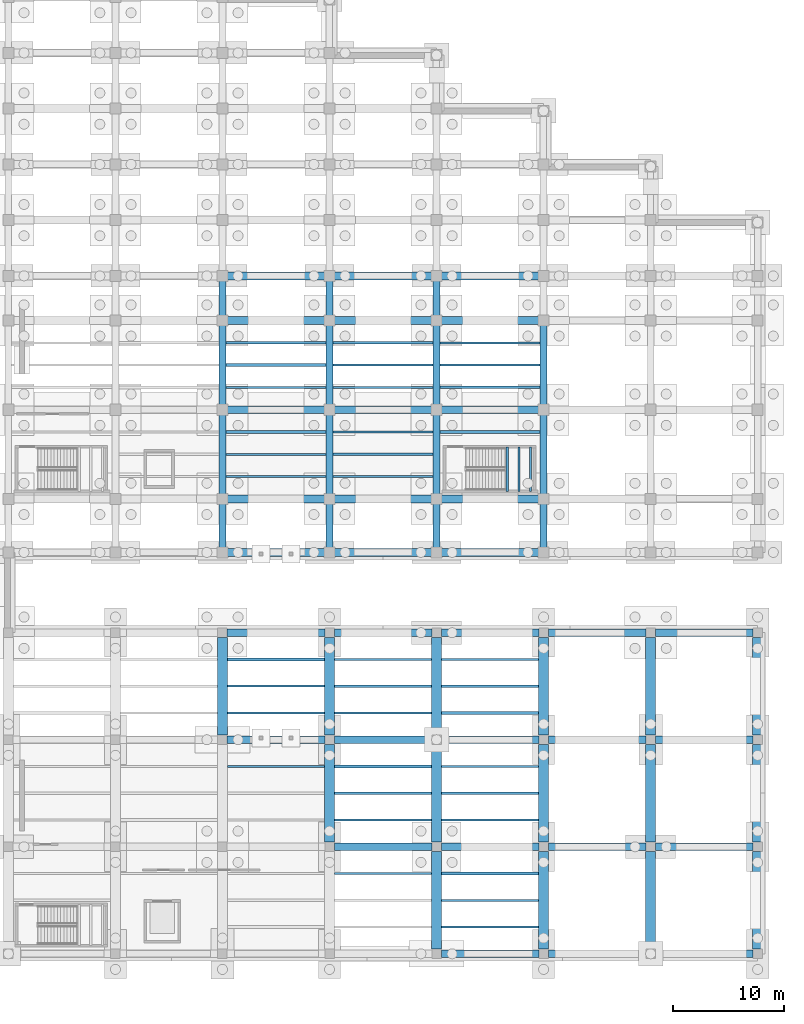
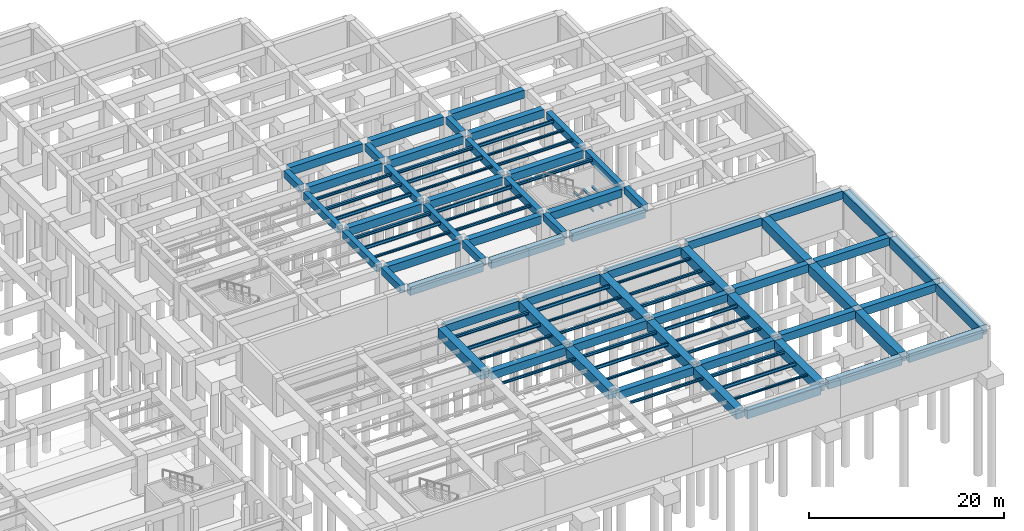
# One storey, part 29 of 56: 101 beams.
"""IFC4 building model written with IfcOpenShell, lengths in metres."""

from ifc_helpers import new_model, si_unit, direction, frame, origin, origin_2d, place, context, subcontext, project, spatial, rectangle, i_section, extrude, material, material_profile, profile_set, type_object, element, save


model = new_model("IFC4")

# Units and contexts
model_context = context("Model", 3, precision=1e-05, world=origin(), true_north=direction((0.0, 1.0)))
body_context = subcontext(model_context, "Body", "Model", "MODEL_VIEW")
ifc_project = project(units=[si_unit("LENGTHUNIT", "METRE"), si_unit("AREAUNIT", "SQUARE_METRE"), si_unit("VOLUMEUNIT", "CUBIC_METRE"), si_unit("PLANEANGLEUNIT", "RADIAN"), si_unit("MASSUNIT", "GRAM", prefix="KILO")], contexts=[model_context])

# Site, building, storey
site_placement = place(None, origin())
site = spatial("IfcSite", under=ifc_project, at=site_placement, CompositionType="ELEMENT")
building_placement = place(site_placement, origin())
building = spatial("IfcBuilding", under=site, at=building_placement, Name="Mavantir Sound Aquarium", CompositionType="ELEMENT")
storey_placement = place(building_placement, frame((0.0, 0.0, -9.60009765625)))
storey = spatial("IfcBuildingStorey", under=building, at=storey_placement, Name="B2", CompositionType="ELEMENT", Elevation=-9.60009765625)

# Beams
ifc_material_1 = material(Name="Concrete C40/50", Category="concrete")
ifc_material_profile_1 = material_profile(ifc_material_1, rectangle(XDim=0.60009765625, YDim=0.89990234375, at=origin_2d()), Name="RC 600X900")
ifc_profile_set_1 = profile_set([ifc_material_profile_1], Name="Concrete C40/50")
beam_type_1 = type_object("IfcBeamType", Name="BM-RC600X900-I", PredefinedType="BEAM", material=ifc_profile_set_1)
beam_1_placement = place(storey_placement, frame((127.199951171875, 36.449951171875, 4.34619140625), z_axis=(0.0, 1.0, 0.0), x_axis=(-1.0, 0.0, 0.0)))
element("IfcBeam", 1, at=beam_1_placement, inside=storey, type_object=beam_type_1, Name="B2 primary girder RCB-09 266", PredefinedType="BEAM", context=body_context, shape_type="SweptSolid", body=[
    extrude(rectangle(XDim=0.60009765625, YDim=0.89990234375, at=origin_2d()), origin(), (0.0, 0.0, 1.0), 3.900146484375),
])
for number, where, z_axis, x_axis, name in (
    (2, (127.199951171875, 41.25, 4.046142578125), (0.0, 1.0, 0.0), (-1.0, 0.0, 0.0), "B2 primary girder RCB-09 267"),
    (3, (127.199951171875, 49.25, 4.046142578125), (0.0, 1.0, 0.0), (-1.0, 0.0, 0.0), "B2 primary girder RCB-09 268"),
):
    element("IfcBeam", number, at=place(storey_placement, frame(where, z_axis=z_axis, x_axis=x_axis)), inside=storey, type_object=beam_type_1, Name=name, PredefinedType="BEAM", context=body_context, shape_type="SweptSolid", body=[
        extrude(rectangle(XDim=0.60009765625, YDim=0.89990234375, at=origin_2d()), origin(), (0.0, 0.0, 1.0), 7.10009765625),
    ])
beam_2_placement = place(storey_placement, frame((127.199951171875, 57.25, 4.34619140625), z_axis=(0.0, 1.0, 0.0), x_axis=(-1.0, 0.0, 0.0)))
element("IfcBeam", 4, at=beam_2_placement, inside=storey, type_object=beam_type_1, Name="B2 primary girder RCB-09 269", PredefinedType="BEAM", context=body_context, shape_type="SweptSolid", body=[
    extrude(rectangle(XDim=0.60009765625, YDim=0.89990234375, at=origin_2d()), origin(), (0.0, 0.0, 1.0), 3.10009765625),
])
beam_3_placement = place(storey_placement, frame((136.800048828125, 36.449951171875, 4.34619140625), z_axis=(0.0, 1.0, 0.0), x_axis=(-1.0, 0.0, 0.0)))
element("IfcBeam", 5, at=beam_3_placement, inside=storey, type_object=beam_type_1, Name="B2 primary girder RCB-09 276", PredefinedType="BEAM", context=body_context, shape_type="SweptSolid", body=[
    extrude(rectangle(XDim=0.60009765625, YDim=0.89990234375, at=origin_2d()), origin(), (0.0, 0.0, 1.0), 3.900146484375),
])
for number, where, z_axis, x_axis, name in (
    (6, (136.800048828125, 41.25, 4.046142578125), (0.0, 1.0, 0.0), (-1.0, 0.0, 0.0), "B2 primary girder RCB-09 277"),
    (7, (136.800048828125, 49.25, 4.046142578125), (0.0, 1.0, 0.0), (-1.0, 0.0, 0.0), "B2 primary girder RCB-09 278"),
):
    element("IfcBeam", number, at=place(storey_placement, frame(where, z_axis=z_axis, x_axis=x_axis)), inside=storey, type_object=beam_type_1, Name=name, PredefinedType="BEAM", context=body_context, shape_type="SweptSolid", body=[
        extrude(rectangle(XDim=0.60009765625, YDim=0.89990234375, at=origin_2d()), origin(), (0.0, 0.0, 1.0), 7.10009765625),
    ])
beam_4_placement = place(storey_placement, frame((136.800048828125, 57.25, 4.34619140625), z_axis=(0.0, 1.0, 0.0), x_axis=(-1.0, 0.0, 0.0)))
element("IfcBeam", 8, at=beam_4_placement, inside=storey, type_object=beam_type_1, Name="B2 primary girder RCB-09 279", PredefinedType="BEAM", context=body_context, shape_type="SweptSolid", body=[
    extrude(rectangle(XDim=0.60009765625, YDim=0.89990234375, at=origin_2d()), origin(), (0.0, 0.0, 1.0), 3.10009765625),
])
beam_5_placement = place(storey_placement, frame((146.39990234375, 36.449951171875, 4.34619140625), z_axis=(0.0, 1.0, 0.0), x_axis=(-1.0, 0.0, 0.0)))
element("IfcBeam", 9, at=beam_5_placement, inside=storey, type_object=beam_type_1, Name="B2 primary girder RCB-09 285", PredefinedType="BEAM", context=body_context, shape_type="SweptSolid", body=[
    extrude(rectangle(XDim=0.60009765625, YDim=0.89990234375, at=origin_2d()), origin(), (0.0, 0.0, 1.0), 3.900146484375),
])
for number, where, z_axis, x_axis, name in (
    (10, (146.39990234375, 41.25, 4.046142578125), (0.0, 1.0, 0.0), (-1.0, 0.0, 0.0), "B2 primary girder RCB-09 286"),
    (11, (146.39990234375, 49.25, 4.046142578125), (0.0, 1.0, 0.0), (-1.0, 0.0, 0.0), "B2 primary girder RCB-09 287"),
):
    element("IfcBeam", number, at=place(storey_placement, frame(where, z_axis=z_axis, x_axis=x_axis)), inside=storey, type_object=beam_type_1, Name=name, PredefinedType="BEAM", context=body_context, shape_type="SweptSolid", body=[
        extrude(rectangle(XDim=0.60009765625, YDim=0.89990234375, at=origin_2d()), origin(), (0.0, 0.0, 1.0), 7.10009765625),
    ])
beam_6_placement = place(storey_placement, frame((146.39990234375, 57.25, 4.34619140625), z_axis=(0.0, 1.0, 0.0), x_axis=(-1.0, 0.0, 0.0)))
element("IfcBeam", 12, at=beam_6_placement, inside=storey, type_object=beam_type_1, Name="B2 primary girder RCB-09 288", PredefinedType="BEAM", context=body_context, shape_type="SweptSolid", body=[
    extrude(rectangle(XDim=0.60009765625, YDim=0.89990234375, at=origin_2d()), origin(), (0.0, 0.0, 1.0), 3.10009765625),
])
beam_7_placement = place(storey_placement, frame((156.0, 36.449951171875, 4.34619140625), z_axis=(0.0, 1.0, 0.0), x_axis=(-1.0, 0.0, 0.0)))
element("IfcBeam", 13, at=beam_7_placement, inside=storey, type_object=beam_type_1, Name="B2 primary girder RCB-09 293", PredefinedType="BEAM", context=body_context, shape_type="SweptSolid", body=[
    extrude(rectangle(XDim=0.60009765625, YDim=0.89990234375, at=origin_2d()), origin(), (0.0, 0.0, 1.0), 3.900146484375),
])
for number, where, z_axis, x_axis, name in (
    (14, (156.0, 41.25, 4.046142578125), (0.0, 1.0, 0.0), (-1.0, 0.0, 0.0), "B2 primary girder RCB-09 294"),
    (15, (156.0, 49.25, 4.046142578125), (0.0, 1.0, 0.0), (-1.0, 0.0, 0.0), "B2 primary girder RCB-09 295"),
):
    element("IfcBeam", number, at=place(storey_placement, frame(where, z_axis=z_axis, x_axis=x_axis)), inside=storey, type_object=beam_type_1, Name=name, PredefinedType="BEAM", context=body_context, shape_type="SweptSolid", body=[
        extrude(rectangle(XDim=0.60009765625, YDim=0.89990234375, at=origin_2d()), origin(), (0.0, 0.0, 1.0), 7.10009765625),
    ])
ifc_material_profile_2 = material_profile(ifc_material_1, rectangle(XDim=0.699951171875, YDim=1.0, at=origin_2d()), Name="RC 700X1000")
ifc_profile_set_2 = profile_set([ifc_material_profile_2], Name="Concrete C40/50")
beam_type_2 = type_object("IfcBeamType", Name="BM-RC700X1000-E", PredefinedType="BEAM", material=ifc_profile_set_2)
beam_8_placement = place(storey_placement, frame((127.64990234375, 36.0, 4.296142578125), z_axis=(1.0, 0.0, 0.0), x_axis=(0.0, 1.0, 0.0)))
element("IfcBeam", 16, at=beam_8_placement, inside=storey, type_object=beam_type_2, Name="B2 primary beam RCB-10 180", PredefinedType="BEAM", context=body_context, shape_type="SweptSolid", body=[
    extrude(rectangle(XDim=0.699951171875, YDim=1.0, at=origin_2d()), origin(), (0.0, 0.0, 1.0), 8.7001953125),
])
for number, where, z_axis, x_axis, name in (
    (17, (137.25, 36.0, 4.296142578125), (1.0, 0.0, 0.0), (0.0, 1.0, 0.0), "B2 primary beam RCB-10 181"),
    (18, (146.85009765625, 36.0, 4.296142578125), (1.0, 0.0, 0.0), (0.0, 1.0, 0.0), "B2 primary beam RCB-10 182"),
):
    element("IfcBeam", number, at=place(storey_placement, frame(where, z_axis=z_axis, x_axis=x_axis)), inside=storey, type_object=beam_type_2, Name=name, PredefinedType="BEAM", context=body_context, shape_type="SweptSolid", body=[
        extrude(rectangle(XDim=0.699951171875, YDim=1.0, at=origin_2d()), origin(), (0.0, 0.0, 1.0), 8.699951171875),
    ])
for number, where, z_axis, x_axis, name in (
    (19, (146.824951171875, 0.0, 3.946044921875), (1.0, 0.0, 0.0), (0.0, 1.0, 0.0), "B2 primary beam RCB-10 355"),
    (20, (156.425048828125, 0.0, 4.296142578125), (1.0, 0.0, 0.0), (0.0, 1.0, 0.0), "B2 primary beam RCB-10 356"),
    (21, (166.02490234375, 0.0, 4.296142578125), (1.0, 0.0, 0.0), (0.0, 1.0, 0.0), "B2 primary beam RCB-10 357"),
    (22, (127.625, 28.800048828125, 3.946044921875), (1.0, 0.0, 0.0), (0.0, 1.0, 0.0), "B2 primary beam RCB-10 374"),
    (23, (137.22509765625, 28.800048828125, 3.946044921875), (1.0, 0.0, 0.0), (0.0, 1.0, 0.0), "B2 primary beam RCB-10 375"),
    (24, (146.824951171875, 28.800048828125, 3.946044921875), (1.0, 0.0, 0.0), (0.0, 1.0, 0.0), "B2 primary beam RCB-10 376"),
    (25, (156.425048828125, 28.800048828125, 4.296142578125), (1.0, 0.0, 0.0), (0.0, 1.0, 0.0), "B2 primary beam RCB-10 377"),
    (26, (166.02490234375, 28.800048828125, 4.296142578125), (1.0, 0.0, 0.0), (0.0, 1.0, 0.0), "B2 primary beam RCB-10 378"),
):
    element("IfcBeam", number, at=place(storey_placement, frame(where, z_axis=z_axis, x_axis=x_axis)), inside=storey, type_object=beam_type_2, Name=name, PredefinedType="BEAM", context=body_context, shape_type="SweptSolid", body=[
        extrude(rectangle(XDim=0.699951171875, YDim=1.0, at=origin_2d()), origin(), (0.0, 0.0, 1.0), 8.75),
    ])
ifc_material_profile_3 = material_profile(ifc_material_1, rectangle(XDim=0.699951171875, YDim=1.0, at=origin_2d()), Name="RC 700X1000")
ifc_profile_set_3 = profile_set([ifc_material_profile_3], Name="Concrete C40/50")
beam_type_3 = type_object("IfcBeamType", Name="BM-RC700X1000-I", PredefinedType="BEAM", material=ifc_profile_set_3)
beam_9_placement = place(storey_placement, frame((127.64990234375, 40.800048828125, 3.99609375), z_axis=(1.0, 0.0, 0.0), x_axis=(0.0, 1.0, 0.0)))
element("IfcBeam", 27, at=beam_9_placement, inside=storey, type_object=beam_type_3, Name="B2 primary beam RCB-10 187", PredefinedType="BEAM", context=body_context, shape_type="SweptSolid", body=[
    extrude(rectangle(XDim=0.699951171875, YDim=1.0, at=origin_2d()), origin(), (0.0, 0.0, 1.0), 8.7001953125),
])
for number, where, z_axis, x_axis, name in (
    (28, (137.25, 40.800048828125, 3.99609375), (1.0, 0.0, 0.0), (0.0, 1.0, 0.0), "B2 primary beam RCB-10 188"),
    (29, (146.85009765625, 40.800048828125, 3.99609375), (1.0, 0.0, 0.0), (0.0, 1.0, 0.0), "B2 primary beam RCB-10 189"),
):
    element("IfcBeam", number, at=place(storey_placement, frame(where, z_axis=z_axis, x_axis=x_axis)), inside=storey, type_object=beam_type_3, Name=name, PredefinedType="BEAM", context=body_context, shape_type="SweptSolid", body=[
        extrude(rectangle(XDim=0.699951171875, YDim=1.0, at=origin_2d()), origin(), (0.0, 0.0, 1.0), 8.699951171875),
    ])
beam_10_placement = place(storey_placement, frame((127.64990234375, 48.800048828125, 3.99609375), z_axis=(1.0, 0.0, 0.0), x_axis=(0.0, 1.0, 0.0)))
element("IfcBeam", 30, at=beam_10_placement, inside=storey, type_object=beam_type_3, Name="B2 primary beam RCB-10 194", PredefinedType="BEAM", context=body_context, shape_type="SweptSolid", body=[
    extrude(rectangle(XDim=0.699951171875, YDim=1.0, at=origin_2d()), origin(), (0.0, 0.0, 1.0), 8.7001953125),
])
for number, where, z_axis, x_axis, name in (
    (31, (137.25, 48.800048828125, 3.99609375), (1.0, 0.0, 0.0), (0.0, 1.0, 0.0), "B2 primary beam RCB-10 195"),
    (32, (146.85009765625, 48.800048828125, 3.99609375), (1.0, 0.0, 0.0), (0.0, 1.0, 0.0), "B2 primary beam RCB-10 196"),
):
    element("IfcBeam", number, at=place(storey_placement, frame(where, z_axis=z_axis, x_axis=x_axis)), inside=storey, type_object=beam_type_3, Name=name, PredefinedType="BEAM", context=body_context, shape_type="SweptSolid", body=[
        extrude(rectangle(XDim=0.699951171875, YDim=1.0, at=origin_2d()), origin(), (0.0, 0.0, 1.0), 8.699951171875),
    ])
beam_11_placement = place(storey_placement, frame((127.64990234375, 56.800048828125, 4.296142578125), z_axis=(1.0, 0.0, 0.0), x_axis=(0.0, 1.0, 0.0)))
element("IfcBeam", 33, at=beam_11_placement, inside=storey, type_object=beam_type_3, Name="B2 primary beam RCB-10 201", PredefinedType="BEAM", context=body_context, shape_type="SweptSolid", body=[
    extrude(rectangle(XDim=0.699951171875, YDim=1.0, at=origin_2d()), origin(), (0.0, 0.0, 1.0), 8.7001953125),
])
for number, where, z_axis, x_axis, name in (
    (34, (137.25, 56.800048828125, 4.296142578125), (1.0, 0.0, 0.0), (0.0, 1.0, 0.0), "B2 primary beam RCB-10 202"),
    (35, (146.85009765625, 56.800048828125, 4.296142578125), (1.0, 0.0, 0.0), (0.0, 1.0, 0.0), "B2 primary beam RCB-10 203"),
):
    element("IfcBeam", number, at=place(storey_placement, frame(where, z_axis=z_axis, x_axis=x_axis)), inside=storey, type_object=beam_type_3, Name=name, PredefinedType="BEAM", context=body_context, shape_type="SweptSolid", body=[
        extrude(rectangle(XDim=0.699951171875, YDim=1.0, at=origin_2d()), origin(), (0.0, 0.0, 1.0), 8.699951171875),
    ])
beam_12_placement = place(storey_placement, frame((127.64990234375, 60.800048828125, 4.296142578125), z_axis=(1.0, 0.0, 0.0), x_axis=(0.0, 1.0, 0.0)))
element("IfcBeam", 36, at=beam_12_placement, inside=storey, type_object=beam_type_3, Name="B2 primary beam RCB-10 208", PredefinedType="BEAM", context=body_context, shape_type="SweptSolid", body=[
    extrude(rectangle(XDim=0.699951171875, YDim=1.0, at=origin_2d()), origin(), (0.0, 0.0, 1.0), 8.7001953125),
])
for number, where, z_axis, x_axis, name in (
    (37, (137.25, 60.800048828125, 4.296142578125), (1.0, 0.0, 0.0), (0.0, 1.0, 0.0), "B2 primary beam RCB-10 209"),
    (38, (146.85009765625, 60.800048828125, 4.296142578125), (1.0, 0.0, 0.0), (0.0, 1.0, 0.0), "B2 primary beam RCB-10 210"),
):
    element("IfcBeam", number, at=place(storey_placement, frame(where, z_axis=z_axis, x_axis=x_axis)), inside=storey, type_object=beam_type_3, Name=name, PredefinedType="BEAM", context=body_context, shape_type="SweptSolid", body=[
        extrude(rectangle(XDim=0.699951171875, YDim=1.0, at=origin_2d()), origin(), (0.0, 0.0, 1.0), 8.699951171875),
    ])
for number, where, z_axis, x_axis, name in (
    (39, (137.22509765625, 9.60009765625, 3.946044921875), (1.0, 0.0, 0.0), (0.0, 1.0, 0.0), "B2 primary beam RCB-10 361"),
    (40, (146.824951171875, 9.60009765625, 3.946044921875), (1.0, 0.0, 0.0), (0.0, 1.0, 0.0), "B2 primary beam RCB-10 362"),
    (41, (156.425048828125, 9.60009765625, 4.296142578125), (1.0, 0.0, 0.0), (0.0, 1.0, 0.0), "B2 primary beam RCB-10 363"),
    (42, (166.02490234375, 9.60009765625, 4.296142578125), (1.0, 0.0, 0.0), (0.0, 1.0, 0.0), "B2 primary beam RCB-10 364"),
    (43, (127.625, 19.199951171875, 3.946044921875), (1.0, 0.0, 0.0), (0.0, 1.0, 0.0), "B2 primary beam RCB-10 367"),
    (44, (137.22509765625, 19.199951171875, 3.946044921875), (1.0, 0.0, 0.0), (0.0, 1.0, 0.0), "B2 primary beam RCB-10 368"),
    (45, (146.824951171875, 19.199951171875, 3.946044921875), (1.0, 0.0, 0.0), (0.0, 1.0, 0.0), "B2 primary beam RCB-10 369"),
    (46, (156.425048828125, 19.199951171875, 4.296142578125), (1.0, 0.0, 0.0), (0.0, 1.0, 0.0), "B2 primary beam RCB-10 370"),
    (47, (166.02490234375, 19.199951171875, 4.296142578125), (1.0, 0.0, 0.0), (0.0, 1.0, 0.0), "B2 primary beam RCB-10 371"),
):
    element("IfcBeam", number, at=place(storey_placement, frame(where, z_axis=z_axis, x_axis=x_axis)), inside=storey, type_object=beam_type_3, Name=name, PredefinedType="BEAM", context=body_context, shape_type="SweptSolid", body=[
        extrude(rectangle(XDim=0.699951171875, YDim=1.0, at=origin_2d()), origin(), (0.0, 0.0, 1.0), 8.75),
    ])
ifc_material_profile_4 = material_profile(ifc_material_1, rectangle(XDim=0.89990234375, YDim=1.199951171875, at=origin_2d()), Name="RC 900X1200")
ifc_profile_set_4 = profile_set([ifc_material_profile_4], Name="Concrete C40/50")
beam_type_4 = type_object("IfcBeamType", Name="BM-RC900X1200-E", PredefinedType="BEAM", material=ifc_profile_set_4)
for number, where, z_axis, x_axis, name in (
    (48, (175.199951171875, 0.425048828125, 4.196044921875), (0.0, 1.0, 0.0), (-1.0, 0.0, 0.0), "B2 primary girder RCB-12 400"),
    (49, (175.199951171875, 10.02490234375, 4.196044921875), (0.0, 1.0, 0.0), (-1.0, 0.0, 0.0), "B2 primary girder RCB-12 401"),
    (50, (175.199951171875, 19.625, 4.196044921875), (0.0, 1.0, 0.0), (-1.0, 0.0, 0.0), "B2 primary girder RCB-12 402"),
):
    element("IfcBeam", number, at=place(storey_placement, frame(where, z_axis=z_axis, x_axis=x_axis)), inside=storey, type_object=beam_type_4, Name=name, PredefinedType="BEAM", context=body_context, shape_type="SweptSolid", body=[
        extrude(rectangle(XDim=0.89990234375, YDim=1.199951171875, at=origin_2d()), origin(), (0.0, 0.0, 1.0), 8.75),
    ])
ifc_material_profile_5 = material_profile(ifc_material_1, rectangle(XDim=0.89990234375, YDim=1.199951171875, at=origin_2d()), Name="RC 900X1200")
ifc_profile_set_5 = profile_set([ifc_material_profile_5], Name="Concrete C40/50")
beam_type_5 = type_object("IfcBeamType", Name="BM-RC900X1200-I", PredefinedType="BEAM", material=ifc_profile_set_5)
for number, where, z_axis, x_axis, name in (
    (51, (127.199951171875, 19.625, 3.84619140625), (0.0, 1.0, 0.0), (-1.0, 0.0, 0.0), "B2 primary girder RCB-12 387"),
    (52, (136.800048828125, 10.02490234375, 3.84619140625), (0.0, 1.0, 0.0), (-1.0, 0.0, 0.0), "B2 primary girder RCB-12 389"),
    (53, (136.800048828125, 19.625, 3.84619140625), (0.0, 1.0, 0.0), (-1.0, 0.0, 0.0), "B2 primary girder RCB-12 390"),
    (54, (146.39990234375, 0.425048828125, 3.84619140625), (0.0, 1.0, 0.0), (-1.0, 0.0, 0.0), "B2 primary girder RCB-12 391"),
    (55, (146.39990234375, 10.02490234375, 3.84619140625), (0.0, 1.0, 0.0), (-1.0, 0.0, 0.0), "B2 primary girder RCB-12 392"),
    (56, (146.39990234375, 19.625, 3.84619140625), (0.0, 1.0, 0.0), (-1.0, 0.0, 0.0), "B2 primary girder RCB-12 393"),
    (57, (156.0, 0.425048828125, 3.84619140625), (0.0, 1.0, 0.0), (-1.0, 0.0, 0.0), "B2 primary girder RCB-12 394"),
    (58, (156.0, 10.02490234375, 3.84619140625), (0.0, 1.0, 0.0), (-1.0, 0.0, 0.0), "B2 primary girder RCB-12 395"),
    (59, (156.0, 19.625, 3.84619140625), (0.0, 1.0, 0.0), (-1.0, 0.0, 0.0), "B2 primary girder RCB-12 396"),
    (60, (165.60009765625, 0.425048828125, 4.196044921875), (0.0, 1.0, 0.0), (-1.0, 0.0, 0.0), "B2 primary girder RCB-12 397"),
    (61, (165.60009765625, 10.02490234375, 4.196044921875), (0.0, 1.0, 0.0), (-1.0, 0.0, 0.0), "B2 primary girder RCB-12 398"),
    (62, (165.60009765625, 19.625, 4.196044921875), (0.0, 1.0, 0.0), (-1.0, 0.0, 0.0), "B2 primary girder RCB-12 399"),
):
    element("IfcBeam", number, at=place(storey_placement, frame(where, z_axis=z_axis, x_axis=x_axis)), inside=storey, type_object=beam_type_5, Name=name, PredefinedType="BEAM", context=body_context, shape_type="SweptSolid", body=[
        extrude(rectangle(XDim=0.89990234375, YDim=1.199951171875, at=origin_2d()), origin(), (0.0, 0.0, 1.0), 8.75),
    ])
ifc_material_2 = material(Name="Structural Steel ASTM A992 Gr50", Category="steel")
ifc_material_profile_6 = material_profile(ifc_material_2, i_section(OverallWidth=0.202880859375, OverallDepth=0.202880859375, WebThickness=0.007080078125, FlangeThickness=0.010986328125, FilletRadius=0.010009765625, at=origin_2d()), Name="W200X46")
ifc_profile_set_6 = profile_set([ifc_material_profile_6], Name="Structural Steel ASTM A992 Gr50")
beam_type_6 = type_object("IfcBeamType", Name="BM-W200X46-I", PredefinedType="LINTEL", material=ifc_profile_set_6)
for number, where, z_axis, x_axis, name in (
    (63, (152.75, 41.47509765625, 2.095703125), (0.0, 1.0, 0.0), (-1.0, 0.0, 0.0), "Stair ST12 landing support beam 67"),
    (64, (153.7900390625, 41.47509765625, 2.095703125), (0.0, 1.0, 0.0), (-1.0, 0.0, 0.0), "Stair ST12 landing support beam 68"),
    (65, (154.830078125, 41.47509765625, 2.095703125), (0.0, 1.0, 0.0), (-1.0, 0.0, 0.0), "Stair ST12 landing support beam 69"),
):
    element("IfcBeam", number, at=place(storey_placement, frame(where, z_axis=z_axis, x_axis=x_axis)), inside=storey, type_object=beam_type_6, Name=name, PredefinedType="LINTEL", context=body_context, shape_type="SweptSolid", body=[
        extrude(i_section(OverallWidth=0.202880859375, OverallDepth=0.202880859375, WebThickness=0.007080078125, FlangeThickness=0.010986328125, FilletRadius=0.010009765625, at=origin_2d()), origin(), (0.0, 0.0, 1.0), 4.0),
    ])
ifc_material_profile_7 = material_profile(ifc_material_2, i_section(OverallWidth=0.202880859375, OverallDepth=0.251953125, WebThickness=0.008056640625, FlangeThickness=0.013427734375, FilletRadius=0.011962890625, at=origin_2d()), Name="W250X58")
ifc_profile_set_7 = profile_set([ifc_material_profile_7], Name="Structural Steel ASTM A992 Gr50")
beam_type_7 = type_object("IfcBeamType", Name="BM-W250X58-I", PredefinedType="JOIST", material=ifc_profile_set_7)
for number, where, z_axis, x_axis, name in (
    (66, (127.5, 42.800048828125, 4.3701171875), (1.0, 0.0, 0.0), (0.0, 1.0, 0.0), "B2 secondary floor joist SJ-25 76"),
    (67, (137.10009765625, 44.800048828125, 4.3701171875), (1.0, 0.0, 0.0), (0.0, 1.0, 0.0), "B2 secondary floor joist SJ-25 80"),
    (68, (137.10009765625, 50.800048828125, 4.3701171875), (1.0, 0.0, 0.0), (0.0, 1.0, 0.0), "B2 secondary floor joist SJ-25 92"),
    (69, (146.699951171875, 52.800048828125, 4.3701171875), (1.0, 0.0, 0.0), (0.0, 1.0, 0.0), "B2 secondary floor joist SJ-25 96"),
):
    element("IfcBeam", number, at=place(storey_placement, frame(where, z_axis=z_axis, x_axis=x_axis)), inside=storey, type_object=beam_type_7, Name=name, PredefinedType="JOIST", context=body_context, shape_type="SweptSolid", body=[
        extrude(i_section(OverallWidth=0.202880859375, OverallDepth=0.251953125, WebThickness=0.008056640625, FlangeThickness=0.013427734375, FilletRadius=0.011962890625, at=origin_2d()), origin(), (0.0, 0.0, 1.0), 9.0),
    ])
for number, where, z_axis, x_axis, name in (
    (70, (146.85009765625, 2.39990234375, 4.320068359375), (1.0, 0.0, 0.0), (0.0, 1.0, 0.0), "B2 secondary floor joist SJ-25 120"),
    (71, (137.25, 12.0, 4.320068359375), (1.0, 0.0, 0.0), (0.0, 1.0, 0.0), "B2 secondary floor joist SJ-25 132"),
    (72, (146.85009765625, 14.39990234375, 4.320068359375), (1.0, 0.0, 0.0), (0.0, 1.0, 0.0), "B2 secondary floor joist SJ-25 136"),
):
    element("IfcBeam", number, at=place(storey_placement, frame(where, z_axis=z_axis, x_axis=x_axis)), inside=storey, type_object=beam_type_7, Name=name, PredefinedType="JOIST", context=body_context, shape_type="SweptSolid", body=[
        extrude(i_section(OverallWidth=0.202880859375, OverallDepth=0.251953125, WebThickness=0.008056640625, FlangeThickness=0.013427734375, FilletRadius=0.011962890625, at=origin_2d()), origin(), (0.0, 0.0, 1.0), 8.699951171875),
    ])
beam_13_placement = place(storey_placement, frame((127.64990234375, 21.60009765625, 4.320068359375), z_axis=(1.0, 0.0, 0.0), x_axis=(0.0, 1.0, 0.0)))
element("IfcBeam", 73, at=beam_13_placement, inside=storey, type_object=beam_type_7, Name="B2 secondary floor joist SJ-25 144", PredefinedType="JOIST", context=body_context, shape_type="SweptSolid", body=[
    extrude(i_section(OverallWidth=0.202880859375, OverallDepth=0.251953125, WebThickness=0.008056640625, FlangeThickness=0.013427734375, FilletRadius=0.011962890625, at=origin_2d()), origin(), (0.0, 0.0, 1.0), 8.7001953125),
])
for number, where, z_axis, x_axis, name in (
    (74, (137.25, 24.0, 4.320068359375), (1.0, 0.0, 0.0), (0.0, 1.0, 0.0), "B2 secondary floor joist SJ-25 148"),
    (75, (146.85009765625, 26.39990234375, 4.320068359375), (1.0, 0.0, 0.0), (0.0, 1.0, 0.0), "B2 secondary floor joist SJ-25 152"),
):
    element("IfcBeam", number, at=place(storey_placement, frame(where, z_axis=z_axis, x_axis=x_axis)), inside=storey, type_object=beam_type_7, Name=name, PredefinedType="JOIST", context=body_context, shape_type="SweptSolid", body=[
        extrude(i_section(OverallWidth=0.202880859375, OverallDepth=0.251953125, WebThickness=0.008056640625, FlangeThickness=0.013427734375, FilletRadius=0.011962890625, at=origin_2d()), origin(), (0.0, 0.0, 1.0), 8.699951171875),
    ])
ifc_material_profile_8 = material_profile(ifc_material_2, i_section(OverallWidth=0.205078125, OverallDepth=0.31005859375, WebThickness=0.009521484375, FlangeThickness=0.016357421875, FilletRadius=0.012939453125, at=origin_2d()), Name="W310X74")
ifc_profile_set_8 = profile_set([ifc_material_profile_8], Name="Structural Steel ASTM A992 Gr50")
beam_type_8 = type_object("IfcBeamType", Name="BM-W310X74-I", PredefinedType="JOIST", material=ifc_profile_set_8)
for number, where, z_axis, x_axis, name in (
    (76, (137.10009765625, 42.800048828125, 4.341064453125), (1.0, 0.0, 0.0), (0.0, 1.0, 0.0), "B2 secondary floor joist SJ-31 79"),
    (77, (127.5, 54.800048828125, 4.341064453125), (1.0, 0.0, 0.0), (0.0, 1.0, 0.0), "B2 secondary floor joist SJ-31 91"),
    (78, (146.699951171875, 50.800048828125, 4.341064453125), (1.0, 0.0, 0.0), (0.0, 1.0, 0.0), "B2 secondary floor joist SJ-31 95"),
):
    element("IfcBeam", number, at=place(storey_placement, frame(where, z_axis=z_axis, x_axis=x_axis)), inside=storey, type_object=beam_type_8, Name=name, PredefinedType="JOIST", context=body_context, shape_type="SweptSolid", body=[
        extrude(i_section(OverallWidth=0.205078125, OverallDepth=0.31005859375, WebThickness=0.009521484375, FlangeThickness=0.016357421875, FilletRadius=0.012939453125, at=origin_2d()), origin(), (0.0, 0.0, 1.0), 9.0),
    ])
beam_14_placement = place(storey_placement, frame((137.25, 7.199951171875, 4.291015625), z_axis=(1.0, 0.0, 0.0), x_axis=(0.0, 1.0, 0.0)))
element("IfcBeam", 79, at=beam_14_placement, inside=storey, type_object=beam_type_8, Name="B2 secondary floor joist SJ-31 119", PredefinedType="JOIST", context=body_context, shape_type="SweptSolid", body=[
    extrude(i_section(OverallWidth=0.205078125, OverallDepth=0.31005859375, WebThickness=0.009521484375, FlangeThickness=0.016357421875, FilletRadius=0.012939453125, at=origin_2d()), origin(), (0.0, 0.0, 1.0), 8.699951171875),
])
beam_15_placement = place(storey_placement, frame((127.64990234375, 16.800048828125, 4.291015625), z_axis=(1.0, 0.0, 0.0), x_axis=(0.0, 1.0, 0.0)))
element("IfcBeam", 80, at=beam_15_placement, inside=storey, type_object=beam_type_8, Name="B2 secondary floor joist SJ-31 131", PredefinedType="JOIST", context=body_context, shape_type="SweptSolid", body=[
    extrude(i_section(OverallWidth=0.205078125, OverallDepth=0.31005859375, WebThickness=0.009521484375, FlangeThickness=0.016357421875, FilletRadius=0.012939453125, at=origin_2d()), origin(), (0.0, 0.0, 1.0), 8.7001953125),
])
for number, where, z_axis, x_axis, name in (
    (81, (146.85009765625, 12.0, 4.291015625), (1.0, 0.0, 0.0), (0.0, 1.0, 0.0), "B2 secondary floor joist SJ-31 135"),
    (82, (137.25, 21.60009765625, 4.291015625), (1.0, 0.0, 0.0), (0.0, 1.0, 0.0), "B2 secondary floor joist SJ-31 147"),
    (83, (146.85009765625, 24.0, 4.291015625), (1.0, 0.0, 0.0), (0.0, 1.0, 0.0), "B2 secondary floor joist SJ-31 151"),
):
    element("IfcBeam", number, at=place(storey_placement, frame(where, z_axis=z_axis, x_axis=x_axis)), inside=storey, type_object=beam_type_8, Name=name, PredefinedType="JOIST", context=body_context, shape_type="SweptSolid", body=[
        extrude(i_section(OverallWidth=0.205078125, OverallDepth=0.31005859375, WebThickness=0.009521484375, FlangeThickness=0.016357421875, FilletRadius=0.012939453125, at=origin_2d()), origin(), (0.0, 0.0, 1.0), 8.699951171875),
    ])
ifc_material_profile_9 = material_profile(ifc_material_2, i_section(OverallWidth=0.25390625, OverallDepth=0.35302734375, WebThickness=0.009521484375, FlangeThickness=0.016357421875, FilletRadius=0.014892578125, at=origin_2d()), Name="W360X91")
ifc_profile_set_9 = profile_set([ifc_material_profile_9], Name="Structural Steel ASTM A992 Gr50")
beam_type_9 = type_object("IfcBeamType", Name="BM-W360X91-I", PredefinedType="JOIST", material=ifc_profile_set_9)
for number, where, z_axis, x_axis, name in (
    (84, (127.5, 46.800048828125, 4.319580078125), (1.0, 0.0, 0.0), (0.0, 1.0, 0.0), "B2 secondary floor joist SJ-36 78"),
    (85, (146.699951171875, 46.800048828125, 4.319580078125), (1.0, 0.0, 0.0), (0.0, 1.0, 0.0), "B2 secondary floor joist SJ-36 82"),
    (86, (127.5, 52.800048828125, 4.319580078125), (1.0, 0.0, 0.0), (0.0, 1.0, 0.0), "B2 secondary floor joist SJ-36 90"),
    (87, (137.10009765625, 54.800048828125, 4.319580078125), (1.0, 0.0, 0.0), (0.0, 1.0, 0.0), "B2 secondary floor joist SJ-36 94"),
):
    element("IfcBeam", number, at=place(storey_placement, frame(where, z_axis=z_axis, x_axis=x_axis)), inside=storey, type_object=beam_type_9, Name=name, PredefinedType="JOIST", context=body_context, shape_type="SweptSolid", body=[
        extrude(i_section(OverallWidth=0.25390625, OverallDepth=0.35302734375, WebThickness=0.009521484375, FlangeThickness=0.016357421875, FilletRadius=0.014892578125, at=origin_2d()), origin(), (0.0, 0.0, 1.0), 9.0),
    ])
for number, where, z_axis, x_axis, name in (
    (88, (146.85009765625, 7.199951171875, 4.26953125), (1.0, 0.0, 0.0), (0.0, 1.0, 0.0), "B2 secondary floor joist SJ-36 122"),
    (89, (137.25, 16.800048828125, 4.26953125), (1.0, 0.0, 0.0), (0.0, 1.0, 0.0), "B2 secondary floor joist SJ-36 134"),
):
    element("IfcBeam", number, at=place(storey_placement, frame(where, z_axis=z_axis, x_axis=x_axis)), inside=storey, type_object=beam_type_9, Name=name, PredefinedType="JOIST", context=body_context, shape_type="SweptSolid", body=[
        extrude(i_section(OverallWidth=0.25390625, OverallDepth=0.35302734375, WebThickness=0.009521484375, FlangeThickness=0.016357421875, FilletRadius=0.014892578125, at=origin_2d()), origin(), (0.0, 0.0, 1.0), 8.699951171875),
    ])
beam_16_placement = place(storey_placement, frame((127.64990234375, 26.39990234375, 4.26953125), z_axis=(1.0, 0.0, 0.0), x_axis=(0.0, 1.0, 0.0)))
element("IfcBeam", 90, at=beam_16_placement, inside=storey, type_object=beam_type_9, Name="B2 secondary floor joist SJ-36 146", PredefinedType="JOIST", context=body_context, shape_type="SweptSolid", body=[
    extrude(i_section(OverallWidth=0.25390625, OverallDepth=0.35302734375, WebThickness=0.009521484375, FlangeThickness=0.016357421875, FilletRadius=0.014892578125, at=origin_2d()), origin(), (0.0, 0.0, 1.0), 8.7001953125),
])
beam_17_placement = place(storey_placement, frame((146.85009765625, 21.60009765625, 4.26953125), z_axis=(1.0, 0.0, 0.0), x_axis=(0.0, 1.0, 0.0)))
element("IfcBeam", 91, at=beam_17_placement, inside=storey, type_object=beam_type_9, Name="B2 secondary floor joist SJ-36 150", PredefinedType="JOIST", context=body_context, shape_type="SweptSolid", body=[
    extrude(i_section(OverallWidth=0.25390625, OverallDepth=0.35302734375, WebThickness=0.009521484375, FlangeThickness=0.016357421875, FilletRadius=0.014892578125, at=origin_2d()), origin(), (0.0, 0.0, 1.0), 8.699951171875),
])
ifc_material_profile_10 = material_profile(ifc_material_2, i_section(OverallWidth=0.180908203125, OverallDepth=0.4169921875, WebThickness=0.010986328125, FlangeThickness=0.018310546875, FilletRadius=0.014892578125, at=origin_2d()), Name="W410X85")
ifc_profile_set_10 = profile_set([ifc_material_profile_10], Name="Structural Steel ASTM A992 Gr50")
beam_type_10 = type_object("IfcBeamType", Name="BM-W410X85-I", PredefinedType="JOIST", material=ifc_profile_set_10)
for number, where, z_axis, x_axis, name in (
    (92, (127.5, 44.800048828125, 4.28759765625), (1.0, 0.0, 0.0), (0.0, 1.0, 0.0), "B2 secondary floor joist SJ-41 77"),
    (93, (137.10009765625, 46.800048828125, 4.28759765625), (1.0, 0.0, 0.0), (0.0, 1.0, 0.0), "B2 secondary floor joist SJ-41 81"),
    (94, (127.5, 50.800048828125, 4.28759765625), (1.0, 0.0, 0.0), (0.0, 1.0, 0.0), "B2 secondary floor joist SJ-41 89"),
    (95, (137.10009765625, 52.800048828125, 4.28759765625), (1.0, 0.0, 0.0), (0.0, 1.0, 0.0), "B2 secondary floor joist SJ-41 93"),
    (96, (146.699951171875, 54.800048828125, 4.28759765625), (1.0, 0.0, 0.0), (0.0, 1.0, 0.0), "B2 secondary floor joist SJ-41 97"),
):
    element("IfcBeam", number, at=place(storey_placement, frame(where, z_axis=z_axis, x_axis=x_axis)), inside=storey, type_object=beam_type_10, Name=name, PredefinedType="JOIST", context=body_context, shape_type="SweptSolid", body=[
        extrude(i_section(OverallWidth=0.180908203125, OverallDepth=0.4169921875, WebThickness=0.010986328125, FlangeThickness=0.018310546875, FilletRadius=0.014892578125, at=origin_2d()), origin(), (0.0, 0.0, 1.0), 9.0),
    ])
for number, where, z_axis, x_axis, name in (
    (97, (146.85009765625, 4.800048828125, 4.237548828125), (1.0, 0.0, 0.0), (0.0, 1.0, 0.0), "B2 secondary floor joist SJ-41 121"),
    (98, (137.25, 14.39990234375, 4.237548828125), (1.0, 0.0, 0.0), (0.0, 1.0, 0.0), "B2 secondary floor joist SJ-41 133"),
    (99, (146.85009765625, 16.800048828125, 4.237548828125), (1.0, 0.0, 0.0), (0.0, 1.0, 0.0), "B2 secondary floor joist SJ-41 137"),
):
    element("IfcBeam", number, at=place(storey_placement, frame(where, z_axis=z_axis, x_axis=x_axis)), inside=storey, type_object=beam_type_10, Name=name, PredefinedType="JOIST", context=body_context, shape_type="SweptSolid", body=[
        extrude(i_section(OverallWidth=0.180908203125, OverallDepth=0.4169921875, WebThickness=0.010986328125, FlangeThickness=0.018310546875, FilletRadius=0.014892578125, at=origin_2d()), origin(), (0.0, 0.0, 1.0), 8.699951171875),
    ])
beam_18_placement = place(storey_placement, frame((127.64990234375, 24.0, 4.237548828125), z_axis=(1.0, 0.0, 0.0), x_axis=(0.0, 1.0, 0.0)))
element("IfcBeam", 100, at=beam_18_placement, inside=storey, type_object=beam_type_10, Name="B2 secondary floor joist SJ-41 145", PredefinedType="JOIST", context=body_context, shape_type="SweptSolid", body=[
    extrude(i_section(OverallWidth=0.180908203125, OverallDepth=0.4169921875, WebThickness=0.010986328125, FlangeThickness=0.018310546875, FilletRadius=0.014892578125, at=origin_2d()), origin(), (0.0, 0.0, 1.0), 8.7001953125),
])
beam_19_placement = place(storey_placement, frame((137.25, 26.39990234375, 4.237548828125), z_axis=(1.0, 0.0, 0.0), x_axis=(0.0, 1.0, 0.0)))
element("IfcBeam", 101, at=beam_19_placement, inside=storey, type_object=beam_type_10, Name="B2 secondary floor joist SJ-41 149", PredefinedType="JOIST", context=body_context, shape_type="SweptSolid", body=[
    extrude(i_section(OverallWidth=0.180908203125, OverallDepth=0.4169921875, WebThickness=0.010986328125, FlangeThickness=0.018310546875, FilletRadius=0.014892578125, at=origin_2d()), origin(), (0.0, 0.0, 1.0), 8.699951171875),
])

save(model, "model.ifc")
